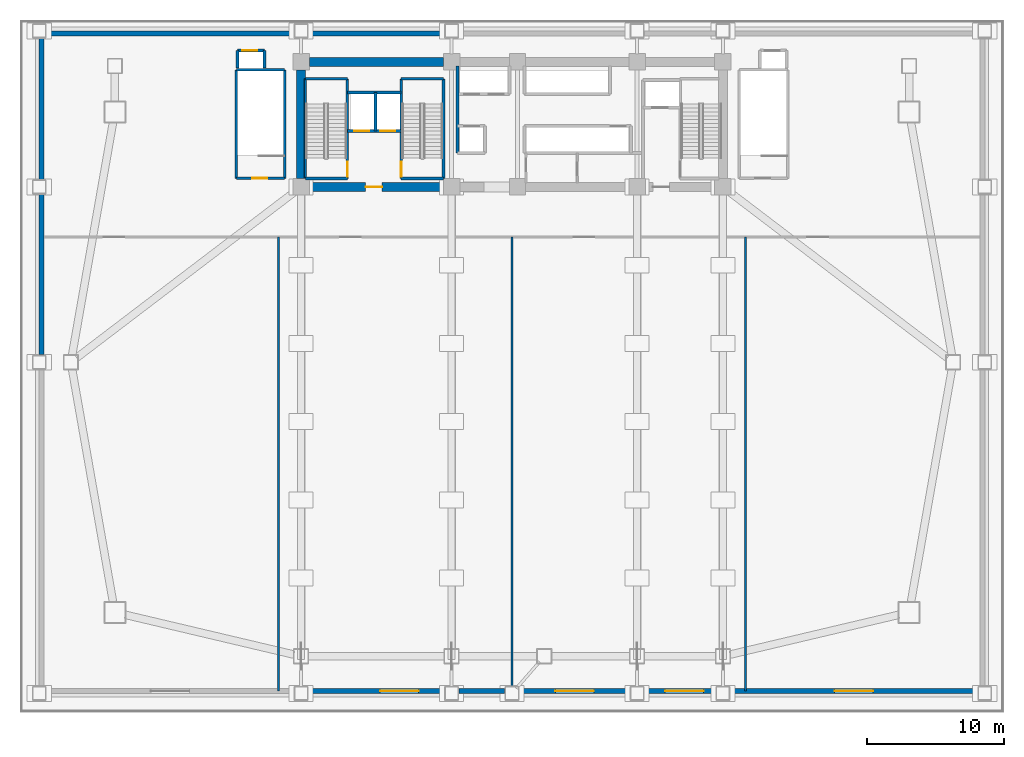
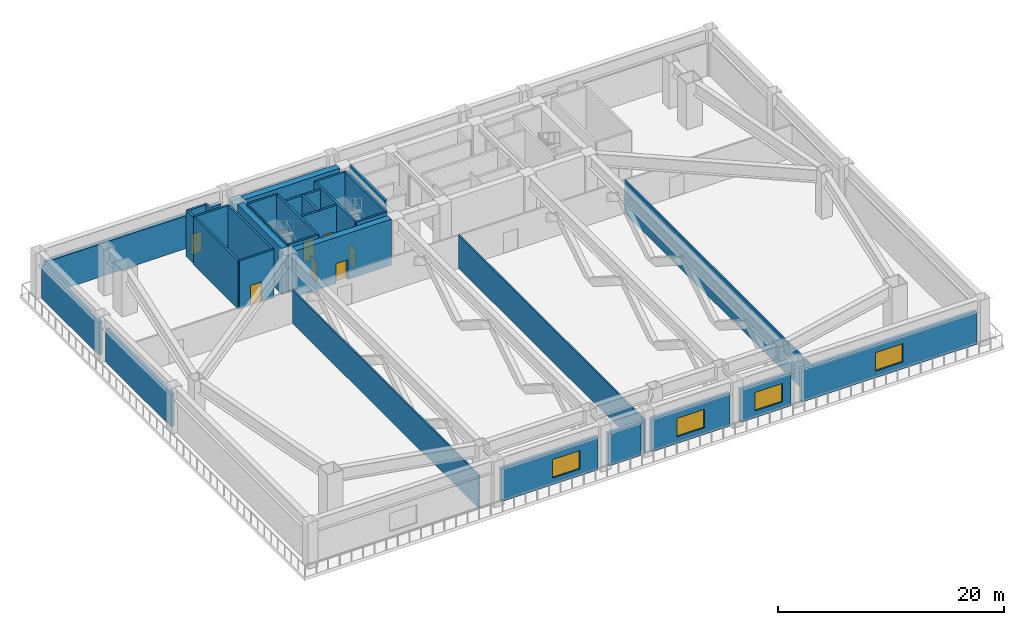
# One storey, part 3 of 8: 34 walls, 7 doors, 4 windows, 11 openings.
"""IFC4 building model written with IfcOpenShell, lengths in metres."""

from ifc_helpers import new_model, si_unit, direction, frame, frame_2d, origin, place, context, subcontext, project, spatial, rectangle, extrude, source, transform, mapped, material, layer, layer_set, type_object, element, fill, save


model = new_model("IFC4")

# Units and contexts
model_context = context("Model", 3, precision=1e-05, world=origin(), true_north=direction((0.0, 1.0)))
body_context = subcontext(model_context, "Body", "Model", "MODEL_VIEW")
ifc_project = project(units=[si_unit("LENGTHUNIT", "METRE"), si_unit("AREAUNIT", "SQUARE_METRE"), si_unit("VOLUMEUNIT", "CUBIC_METRE"), si_unit("PLANEANGLEUNIT", "RADIAN"), si_unit("MASSUNIT", "GRAM", prefix="KILO")], contexts=[model_context])

# Site, building, storey
site_placement = place(None, origin())
site = spatial("IfcSite", under=ifc_project, at=site_placement, CompositionType="ELEMENT")
building_placement = place(site_placement, origin())
building = spatial("IfcBuilding", under=site, at=building_placement, Name="Giltprow Tower", CompositionType="ELEMENT")
storey_placement = place(building_placement, frame((0.0, 0.0, 20.199951171875)))
storey = spatial("IfcBuildingStorey", under=building, at=storey_placement, Name="L05", CompositionType="ELEMENT", Elevation=20.199951171875)

# Wall, opening, window
ifc_material_1 = material(Name="Precast concrete C40", Category="concrete")
ifc_layer_1 = layer(ifc_material_1, 0.360107421875, Name="Precast concrete C40")
ifc_layer_set_1 = layer_set([ifc_layer_1], Name="Precast concrete C40")
wall_type_1 = type_object("IfcWallType", Name="EW-POD-STONE-360", PredefinedType="SOLIDWALL", material=ifc_layer_set_1)
wall_1_placement = place(storey_placement, frame((20.39990234375, 0.780029296875, 0.0), z_axis=(0.0, 0.0, 1.0), x_axis=(1.0, 0.0, 0.0)))
wall_1 = element("IfcWall", 1, at=wall_1_placement, inside=storey, type_object=wall_type_1, Name="L05 South Podium Masonry Wall 2", PredefinedType="SOLIDWALL", context=body_context, shape_type="SweptSolid", body=[
    extrude(rectangle(XDim=9.85009765625, YDim=0.360107421875, at=frame_2d((4.925048828125, 0.0))), origin(), (0.0, 0.0, 1.0), 3.56005859375),
])
opening_1_placement = place(wall_1_placement, frame((5.199951171875, 0.0, 0.719970703125)))
opening_1 = element("IfcOpeningElement", 2, at=opening_1_placement, cuts=wall_1, Name="Opening WN31", PredefinedType="OPENING", context=body_context, shape_type="SweptSolid", body=[
    extrude(rectangle(XDim=2.800048828125, YDim=2.0, at=frame_2d((1.39990234375, 1.0))), frame((0.0, 0.18994140625, 0.0), z_axis=(0.0, -1.0, 0.0), x_axis=(1.0, 0.0, 0.0)), (0.0, 0.0, 1.0), 0.380126953125),
])
ifc_material_2 = material(Name="Insulated glass", Category="glass")
window_type = type_object("IfcWindowType", Name="WN-POD-2800x2000", PartitioningType="SINGLE_PANEL", PredefinedType="WINDOW", material=ifc_material_2)
shared_shape_1 = source(origin(), body_context, "Body", "SweptSolid", [
    extrude(rectangle(XDim=2.800048828125, YDim=2.0, at=frame_2d((1.39990234375, 1.0))), frame((0.0, 0.030029296875, 0.0), z_axis=(0.0, -1.0, 0.0), x_axis=(1.0, 0.0, 0.0)), (0.0, 0.0, 1.0), 0.06005859375),
])
window_1_placement = place(opening_1_placement, origin())
window_1 = element("IfcWindow", 3, at=window_1_placement, inside=storey, type_object=window_type, Name="L05 Podium South Window 2", OverallHeight=2.0, OverallWidth=2.800048828125, PartitioningType="SINGLE_PANEL", PredefinedType="WINDOW", context=body_context, shape_type="MappedRepresentation", body=[
    mapped(shared_shape_1, transform((0.0, 0.0, 0.0), x_axis=(1.0, 0.0, 0.0), y_axis=(0.0, 1.0, 0.0), z_axis=(0.0, 0.0, 1.0), scale=1.0)),
])
fill(opening_1, window_1)

# Wall
wall_2_placement = place(storey_placement, frame((31.35009765625, 0.780029296875, 0.0), z_axis=(0.0, 0.0, 1.0), x_axis=(1.0, 0.0, 0.0)))
element("IfcWall", 4, at=wall_2_placement, inside=storey, type_object=wall_type_1, Name="L05 South Podium Masonry Wall 3", PredefinedType="SOLIDWALL", context=body_context, shape_type="SweptSolid", body=[
    extrude(rectangle(XDim=3.2998046875, YDim=0.360107421875, at=frame_2d((1.64990234375, 0.0))), origin(), (0.0, 0.0, 1.0), 3.56005859375),
])

# Wall, opening, window
wall_3_placement = place(storey_placement, frame((35.75, 0.780029296875, 0.0), z_axis=(0.0, 0.0, 1.0), x_axis=(1.0, 0.0, 0.0)))
wall_3 = element("IfcWall", 5, at=wall_3_placement, inside=storey, type_object=wall_type_1, Name="L05 South Podium Masonry Wall 4", PredefinedType="SOLIDWALL", context=body_context, shape_type="SweptSolid", body=[
    extrude(rectangle(XDim=8.0, YDim=0.360107421875, at=frame_2d((4.0, 0.0))), origin(), (0.0, 0.0, 1.0), 3.56005859375),
])
opening_2_placement = place(wall_3_placement, frame((2.60009765625, 0.0, 0.719970703125)))
opening_2 = element("IfcOpeningElement", 6, at=opening_2_placement, cuts=wall_3, Name="Opening WN31", PredefinedType="OPENING", context=body_context, shape_type="SweptSolid", body=[
    extrude(rectangle(XDim=2.800048828125, YDim=2.0, at=frame_2d((1.39990234375, 1.0))), frame((0.0, 0.18994140625, 0.0), z_axis=(0.0, -1.0, 0.0), x_axis=(1.0, 0.0, 0.0)), (0.0, 0.0, 1.0), 0.380126953125),
])
window_2_placement = place(opening_2_placement, origin())
window_2 = element("IfcWindow", 7, at=window_2_placement, inside=storey, type_object=window_type, Name="L05 Podium South Window 4", OverallHeight=2.0, OverallWidth=2.800048828125, PartitioningType="SINGLE_PANEL", PredefinedType="WINDOW", context=body_context, shape_type="MappedRepresentation", body=[
    mapped(shared_shape_1, transform((0.0, 0.0, 0.0), x_axis=(1.0, 0.0, 0.0), y_axis=(0.0, 1.0, 0.0), z_axis=(0.0, 0.0, 1.0), scale=1.0)),
])
fill(opening_2, window_2)

wall_4_placement = place(storey_placement, frame((44.85009765625, 0.780029296875, 0.0), z_axis=(0.0, 0.0, 1.0), x_axis=(1.0, 0.0, 0.0)))
wall_4 = element("IfcWall", 8, at=wall_4_placement, inside=storey, type_object=wall_type_1, Name="L05 South Podium Masonry Wall 5", PredefinedType="SOLIDWALL", context=body_context, shape_type="SweptSolid", body=[
    extrude(rectangle(XDim=5.14990234375, YDim=0.360107421875, at=frame_2d((2.574951171875, 0.0))), origin(), (0.0, 0.0, 1.0), 3.56005859375),
])
opening_3_placement = place(wall_4_placement, frame((1.5, 0.0, 0.719970703125)))
opening_3 = element("IfcOpeningElement", 9, at=opening_3_placement, cuts=wall_4, Name="Opening WN31", PredefinedType="OPENING", context=body_context, shape_type="SweptSolid", body=[
    extrude(rectangle(XDim=2.800048828125, YDim=2.0, at=frame_2d((1.39990234375, 1.0))), frame((0.0, 0.18994140625, 0.0), z_axis=(0.0, -1.0, 0.0), x_axis=(1.0, 0.0, 0.0)), (0.0, 0.0, 1.0), 0.380126953125),
])
window_3_placement = place(opening_3_placement, origin())
window_3 = element("IfcWindow", 10, at=window_3_placement, inside=storey, type_object=window_type, Name="L05 Podium South Window 5", OverallHeight=2.0, OverallWidth=2.800048828125, PartitioningType="SINGLE_PANEL", PredefinedType="WINDOW", context=body_context, shape_type="MappedRepresentation", body=[
    mapped(shared_shape_1, transform((0.0, 0.0, 0.0), x_axis=(1.0, 0.0, 0.0), y_axis=(0.0, 1.0, 0.0), z_axis=(0.0, 0.0, 1.0), scale=1.0)),
])
fill(opening_3, window_3)

wall_5_placement = place(storey_placement, frame((51.10009765625, 0.780029296875, 0.0), z_axis=(0.0, 0.0, 1.0), x_axis=(1.0, 0.0, 0.0)))
wall_5 = element("IfcWall", 11, at=wall_5_placement, inside=storey, type_object=wall_type_1, Name="L05 South Podium Masonry Wall 6", PredefinedType="SOLIDWALL", context=body_context, shape_type="SweptSolid", body=[
    extrude(rectangle(XDim=17.949951171875, YDim=0.360107421875, at=frame_2d((8.97509765625, 0.0))), origin(), (0.0, 0.0, 1.0), 3.56005859375),
])
opening_4_placement = place(wall_5_placement, frame((7.574951171875, 0.0, 0.719970703125)))
opening_4 = element("IfcOpeningElement", 12, at=opening_4_placement, cuts=wall_5, Name="Opening WN31", PredefinedType="OPENING", context=body_context, shape_type="SweptSolid", body=[
    extrude(rectangle(XDim=2.800048828125, YDim=2.0, at=frame_2d((1.39990234375, 1.0))), frame((0.0, 0.18994140625, 0.0), z_axis=(0.0, -1.0, 0.0), x_axis=(1.0, 0.0, 0.0)), (0.0, 0.0, 1.0), 0.380126953125),
])
window_4_placement = place(opening_4_placement, origin())
window_4 = element("IfcWindow", 13, at=window_4_placement, inside=storey, type_object=window_type, Name="L05 Podium South Window 6", OverallHeight=2.0, OverallWidth=2.800048828125, PartitioningType="SINGLE_PANEL", PredefinedType="WINDOW", context=body_context, shape_type="MappedRepresentation", body=[
    mapped(shared_shape_1, transform((0.0, 0.0, 0.0), x_axis=(1.0, 0.0, 0.0), y_axis=(0.0, 1.0, 0.0), z_axis=(0.0, 0.0, 1.0), scale=1.0)),
])
fill(opening_4, window_4)

# Walls
wall_6_placement = place(storey_placement, frame((1.35009765625, 48.6201171875, 0.0), z_axis=(0.0, 0.0, 1.0), x_axis=(1.0, 0.0, 0.0)))
element("IfcWall", 14, at=wall_6_placement, inside=storey, type_object=wall_type_1, Name="L05 North Podium Masonry Wall 1", PredefinedType="SOLIDWALL", context=body_context, shape_type="SweptSolid", body=[
    extrude(rectangle(XDim=17.949951171875, YDim=0.360107421875, at=frame_2d((8.97509765625, 0.0))), origin(), (0.0, 0.0, 1.0), 3.56005859375),
])
wall_7_placement = place(storey_placement, frame((20.39990234375, 48.6201171875, 0.0), z_axis=(0.0, 0.0, 1.0), x_axis=(1.0, 0.0, 0.0)))
element("IfcWall", 15, at=wall_7_placement, inside=storey, type_object=wall_type_1, Name="L05 North Podium Masonry Wall 2", PredefinedType="SOLIDWALL", context=body_context, shape_type="SweptSolid", body=[
    extrude(rectangle(XDim=9.85009765625, YDim=0.360107421875, at=frame_2d((4.925048828125, 0.0))), origin(), (0.0, 0.0, 1.0), 3.56005859375),
])
wall_8_placement = place(storey_placement, frame((0.97998046875, 25.25, 0.0), z_axis=(0.0, 0.0, 1.0), x_axis=(0.0, 1.0, 0.0)))
element("IfcWall", 16, at=wall_8_placement, inside=storey, type_object=wall_type_1, Name="L05 W Podium Masonry Wall 2", PredefinedType="SOLIDWALL", context=body_context, shape_type="SweptSolid", body=[
    extrude(rectangle(XDim=11.64990234375, YDim=0.360107421875, at=frame_2d((5.824951171875, 0.0))), origin(), (0.0, 0.0, 1.0), 3.56005859375),
])
wall_9_placement = place(storey_placement, frame((0.97998046875, 38.0, 0.0), z_axis=(0.0, 0.0, 1.0), x_axis=(0.0, 1.0, 0.0)))
element("IfcWall", 17, at=wall_9_placement, inside=storey, type_object=wall_type_1, Name="L05 W Podium Masonry Wall 3", PredefinedType="SOLIDWALL", context=body_context, shape_type="SweptSolid", body=[
    extrude(rectangle(XDim=10.25, YDim=0.360107421875, at=frame_2d((5.125, 0.0))), origin(), (0.0, 0.0, 1.0), 3.56005859375),
])
ifc_material_3 = material(Name="Gypsum stud partition", Category="gypsum")
ifc_layer_2 = layer(ifc_material_3, 0.159912109375, Name="Gypsum stud partition")
ifc_layer_set_2 = layer_set([ifc_layer_2], Name="Gypsum stud partition")
wall_type_2 = type_object("IfcWallType", Name="IW-DEMISE-160", PredefinedType="PARTITIONING", material=ifc_layer_set_2)
for number, where, z_axis, x_axis, name in (
    (18, (18.199951171875, 0.780029296875, 0.0), (0.0, 0.0, 1.0), (0.0, 1.0, 0.0), "L05 Plant Bay Wall 1"),
    (19, (35.199951171875, 0.780029296875, 0.0), (0.0, 0.0, 1.0), (0.0, 1.0, 0.0), "L05 Plant Bay Wall 2"),
    (20, (52.199951171875, 0.780029296875, 0.0), (0.0, 0.0, 1.0), (0.0, 1.0, 0.0), "L05 Plant Bay Wall 3"),
):
    element("IfcWall", number, at=place(storey_placement, frame(where, z_axis=z_axis, x_axis=x_axis)), inside=storey, type_object=wall_type_2, Name=name, PredefinedType="PARTITIONING", context=body_context, shape_type="SweptSolid", body=[
        extrude(rectangle(XDim=33.02001953125, YDim=0.159912109375, at=frame_2d((16.510009765625, 0.0))), origin(), (0.0, 0.0, 1.0), 3.56494140625),
    ])

# Wall, openings, doors
ifc_material_4 = material(Name="Concrete C40", Category="concrete")
ifc_layer_3 = layer(ifc_material_4, 0.219970703125, Name="Concrete C40")
ifc_layer_set_3 = layer_set([ifc_layer_3], Name="Concrete C40")
wall_type_3 = type_object("IfcWallType", Name="IW-SHAFT-220", PredefinedType="SOLIDWALL", material=ifc_layer_set_3)
wall_10_placement = place(storey_placement, frame((23.219970703125, 41.52001953125, 0.0), z_axis=(0.0, 0.0, 1.0), x_axis=(1.0, 0.0, 0.0)))
wall_10 = element("IfcWall", 21, at=wall_10_placement, inside=storey, type_object=wall_type_3, Name="L05 FFL1 and Service Lift Front Wall", PredefinedType="SOLIDWALL", context=body_context, shape_type="SweptSolid", body=[
    extrude(rectangle(XDim=3.919921875, YDim=0.219970703125, at=frame_2d((1.9599609375, 0.0))), origin(), (0.0, 0.0, 1.0), 4.97998046875),
])
opening_5_placement = place(wall_10_placement, frame((0.5, 0.0, 0.0)))
opening_5 = element("IfcOpeningElement", 22, at=opening_5_placement, cuts=wall_10, Name="Opening LD-11", PredefinedType="OPENING", context=body_context, shape_type="SweptSolid", body=[
    extrude(rectangle(XDim=1.10009765625, YDim=2.199951171875, at=frame_2d((0.550048828125, 1.10009765625))), frame((0.0, 0.119873046875, 0.0), z_axis=(0.0, -1.0, 0.0), x_axis=(1.0, 0.0, 0.0)), (0.0, 0.0, 1.0), 0.239990234375),
])
opening_6_placement = place(wall_10_placement, frame((2.39990234375, 0.0, 0.0)))
opening_6 = element("IfcOpeningElement", 23, at=opening_6_placement, cuts=wall_10, Name="Opening LD-11", PredefinedType="OPENING", context=body_context, shape_type="SweptSolid", body=[
    extrude(rectangle(XDim=1.10009765625, YDim=2.199951171875, at=frame_2d((0.550048828125, 1.10009765625))), frame((0.0, 0.119873046875, 0.0), z_axis=(0.0, -1.0, 0.0), x_axis=(1.0, 0.0, 0.0)), (0.0, 0.0, 1.0), 0.239990234375),
])
ifc_material_5 = material(Name="Stainless steel", Category="steel")
door_type_1 = type_object("IfcDoorType", Name="DR-LIFT-LD1100", OperationType="SLIDING_TO_LEFT", PredefinedType="DOOR", material=ifc_material_5)
shared_shape_2 = source(origin(), body_context, "Body", "SweptSolid", [
    extrude(rectangle(XDim=1.10009765625, YDim=2.199951171875, at=frame_2d((0.550048828125, 1.10009765625))), frame((0.0, 0.02490234375, 0.0), z_axis=(0.0, -1.0, 0.0), x_axis=(1.0, 0.0, 0.0)), (0.0, 0.0, 1.0), 0.050048828125),
])
door_1_placement = place(opening_5_placement, origin())
door_1 = element("IfcDoor", 24, at=door_1_placement, inside=storey, type_object=door_type_1, Name="L05 FFL1 Landing Door", OperationType="SLIDING_TO_LEFT", OverallHeight=2.199951171875, OverallWidth=1.10009765625, PredefinedType="DOOR", context=body_context, shape_type="MappedRepresentation", body=[
    mapped(shared_shape_2, transform((0.0, 0.0, 0.0), x_axis=(1.0, 0.0, 0.0), y_axis=(0.0, 1.0, 0.0), z_axis=(0.0, 0.0, 1.0), scale=1.0)),
])
fill(opening_5, door_1)
door_2_placement = place(opening_6_placement, origin())
door_2 = element("IfcDoor", 25, at=door_2_placement, inside=storey, type_object=door_type_1, Name="L05 SVL1 Landing Door", OperationType="SLIDING_TO_LEFT", OverallHeight=2.199951171875, OverallWidth=1.10009765625, PredefinedType="DOOR", context=body_context, shape_type="MappedRepresentation", body=[
    mapped(shared_shape_2, transform((0.0, 0.0, 0.0), x_axis=(1.0, 0.0, 0.0), y_axis=(0.0, 1.0, 0.0), z_axis=(0.0, 0.0, 1.0), scale=1.0)),
])
fill(opening_6, door_2)

# Walls
wall_11_placement = place(storey_placement, frame((25.260009765625, 41.52001953125, 0.0), z_axis=(0.0, 0.0, 1.0), x_axis=(0.0, 1.0, 0.0)))
element("IfcWall", 26, at=wall_11_placement, inside=storey, type_object=wall_type_3, Name="L05 FFL1-SVL1 Shaft Divider", PredefinedType="SOLIDWALL", context=body_context, shape_type="SweptSolid", body=[
    extrude(rectangle(XDim=2.800048828125, YDim=0.219970703125, at=frame_2d((1.39990234375, 0.0))), origin(), (0.0, 0.0, 1.0), 4.97998046875),
])
wall_12_placement = place(storey_placement, frame((23.219970703125, 44.320068359375, 0.0), z_axis=(0.0, 0.0, 1.0), x_axis=(1.0, 0.0, 0.0)))
element("IfcWall", 27, at=wall_12_placement, inside=storey, type_object=wall_type_3, Name="L05 FFL1-SVL1 Back Shaft Wall", PredefinedType="SOLIDWALL", context=body_context, shape_type="SweptSolid", body=[
    extrude(rectangle(XDim=3.919921875, YDim=0.219970703125, at=frame_2d((1.9599609375, 0.0))), origin(), (0.0, 0.0, 1.0), 4.97998046875),
])

# Wall, opening, door
wall_13_placement = place(storey_placement, frame((15.22998046875, 47.3798828125, 0.0), z_axis=(0.0, 0.0, 1.0), x_axis=(1.0, 0.0, 0.0)))
wall_13 = element("IfcWall", 28, at=wall_13_placement, inside=storey, type_object=wall_type_3, Name="L05 PL-P1 Front Wall", PredefinedType="SOLIDWALL", context=body_context, shape_type="SweptSolid", body=[
    extrude(rectangle(XDim=1.9599609375, YDim=0.219970703125, at=frame_2d((0.97998046875, 0.0))), origin(), (0.0, 0.0, 1.0), 4.97998046875),
])
opening_7_placement = place(wall_13_placement, frame((0.35009765625, 0.0, 0.0)))
opening_7 = element("IfcOpeningElement", 29, at=opening_7_placement, cuts=wall_13, Name="Opening LD-11", PredefinedType="OPENING", context=body_context, shape_type="SweptSolid", body=[
    extrude(rectangle(XDim=1.10009765625, YDim=2.199951171875, at=frame_2d((0.550048828125, 1.10009765625))), frame((0.0, 0.119873046875, 0.0), z_axis=(0.0, -1.0, 0.0), x_axis=(1.0, 0.0, 0.0)), (0.0, 0.0, 1.0), 0.239990234375),
])
door_3_placement = place(opening_7_placement, origin())
door_3 = element("IfcDoor", 30, at=door_3_placement, inside=storey, type_object=door_type_1, Name="L05 PL-P1 Landing Door", OperationType="SLIDING_TO_LEFT", OverallHeight=2.199951171875, OverallWidth=1.10009765625, PredefinedType="DOOR", context=body_context, shape_type="MappedRepresentation", body=[
    mapped(shared_shape_2, transform((0.0, 0.0, 0.0), x_axis=(1.0, 0.0, 0.0), y_axis=(0.0, 1.0, 0.0), z_axis=(0.0, 0.0, 1.0), scale=1.0)),
])
fill(opening_7, door_3)

# Walls
for number, where, z_axis, x_axis, name in (
    (31, (15.22998046875, 46.090087890625, 0.0), (0.0, 0.0, 1.0), (0.0, 1.0, 0.0), "L05 PL-P1 West Shaft Wall"),
    (32, (17.18994140625, 46.090087890625, 0.0), (0.0, 0.0, 1.0), (0.0, 1.0, 0.0), "L05 PL-P1 East Shaft Wall"),
):
    element("IfcWall", number, at=place(storey_placement, frame(where, z_axis=z_axis, x_axis=x_axis)), inside=storey, type_object=wall_type_3, Name=name, PredefinedType="SOLIDWALL", context=body_context, shape_type="SweptSolid", body=[
        extrude(rectangle(XDim=1.289794921875, YDim=0.219970703125, at=frame_2d((0.64501953125, 0.0))), origin(), (0.0, 0.0, 1.0), 4.97998046875),
    ])
wall_14_placement = place(storey_placement, frame((31.25, 39.919921875, 0.0), z_axis=(0.0, 0.0, 1.0), x_axis=(0.0, 1.0, 0.0)))
element("IfcWall", 33, at=wall_14_placement, inside=storey, type_object=wall_type_3, Name="L05 Lift Bank West Closure", PredefinedType="SOLIDWALL", context=body_context, shape_type="SweptSolid", body=[
    extrude(rectangle(XDim=6.3251953125, YDim=0.219970703125, at=frame_2d((3.16259765625, 0.0))), origin(), (0.0, 0.0, 1.0), 4.97998046875),
])
ifc_material_6 = material(Name="Concrete C45", Category="concrete")
ifc_layer_4 = layer(ifc_material_6, 0.139892578125, Name="Concrete C45")
ifc_layer_set_4 = layer_set([ifc_layer_4], Name="Concrete C45")
wall_type_4 = type_object("IfcWallType", Name="IW-STAIR-140", PredefinedType="SOLIDWALL", material=ifc_layer_set_4)
wall_15_placement = place(storey_placement, frame((20.169921875, 38.070068359375, 0.0), z_axis=(0.0, 0.0, 1.0), x_axis=(0.0, 1.0, 0.0)))
element("IfcWall", 34, at=wall_15_placement, inside=storey, type_object=wall_type_4, Name="L05 Stair ST-1 West Bearing Wall", PredefinedType="SOLIDWALL", context=body_context, shape_type="SweptSolid", body=[
    extrude(rectangle(XDim=7.25, YDim=0.139892578125, at=frame_2d((3.625, 0.0))), origin(), (0.0, 0.0, 1.0), 5.199951171875),
])

# Wall, opening, door
ifc_layer_5 = layer(ifc_material_4, 0.199951171875, Name="Concrete C40")
ifc_layer_set_5 = layer_set([ifc_layer_5], Name="Concrete C40")
wall_type_5 = type_object("IfcWallType", Name="IW-STAIR-200", PredefinedType="SOLIDWALL", material=ifc_layer_set_5)
wall_16_placement = place(storey_placement, frame((23.219970703125, 38.070068359375, 0.0), z_axis=(0.0, 0.0, 1.0), x_axis=(0.0, 1.0, 0.0)))
wall_16 = element("IfcWall", 35, at=wall_16_placement, inside=storey, type_object=wall_type_5, Name="L05 Stair ST-1 East Bearing Wall", PredefinedType="SOLIDWALL", context=body_context, shape_type="SweptSolid", body=[
    extrude(rectangle(XDim=7.25, YDim=0.199951171875, at=frame_2d((3.625, 0.0))), origin(), (0.0, 0.0, 1.0), 5.199951171875),
])
opening_8_placement = place(wall_16_placement, frame((0.110107421875, 0.0, 0.0)))
opening_8 = element("IfcOpeningElement", 36, at=opening_8_placement, cuts=wall_16, Name="Opening ID33", PredefinedType="OPENING", context=body_context, shape_type="SweptSolid", body=[
    extrude(rectangle(XDim=1.10009765625, YDim=2.14990234375, at=frame_2d((0.550048828125, 1.074951171875))), frame((0.0, 0.10986328125, 0.0), z_axis=(0.0, -1.0, 0.0), x_axis=(1.0, 0.0, 0.0)), (0.0, 0.0, 1.0), 0.219970703125),
])
ifc_material_7 = material(Name="Steel fire leaf", Category="steel")
door_type_2 = type_object("IfcDoorType", Name="DR-STAIR-1100", OperationType="SINGLE_SWING_LEFT", PredefinedType="DOOR", material=ifc_material_7)
shared_shape_3 = source(origin(), body_context, "Body", "SweptSolid", [
    extrude(rectangle(XDim=1.10009765625, YDim=2.14990234375, at=frame_2d((0.550048828125, 1.074951171875))), frame((0.0, 0.02490234375, 0.0), z_axis=(0.0, -1.0, 0.0), x_axis=(1.0, 0.0, 0.0)), (0.0, 0.0, 1.0), 0.050048828125),
])
door_4_placement = place(opening_8_placement, origin())
door_4 = element("IfcDoor", 37, at=door_4_placement, inside=storey, type_object=door_type_2, Name="L05 Stair ST-1 Fire Door", OperationType="SINGLE_SWING_LEFT", OverallHeight=2.14990234375, OverallWidth=1.10009765625, PredefinedType="DOOR", context=body_context, shape_type="MappedRepresentation", body=[
    mapped(shared_shape_3, transform((0.0, 0.0, 0.0), x_axis=(1.0, 0.0, 0.0), y_axis=(0.0, 1.0, 0.0), z_axis=(0.0, 0.0, 1.0), scale=1.0)),
])
fill(opening_8, door_4)

# Walls
for number, where, z_axis, x_axis, name in (
    (38, (20.169921875, 45.320068359375, 0.0), (0.0, 0.0, 1.0), (1.0, 0.0, 0.0), "L05 Stair ST-1 North Bearing Wall"),
    (39, (20.169921875, 38.070068359375, 0.0), (0.0, 0.0, 1.0), (1.0, 0.0, 0.0), "L05 Stair ST-1 South Bearing Wall"),
):
    element("IfcWall", number, at=place(storey_placement, frame(where, z_axis=z_axis, x_axis=x_axis)), inside=storey, type_object=wall_type_5, Name=name, PredefinedType="SOLIDWALL", context=body_context, shape_type="SweptSolid", body=[
        extrude(rectangle(XDim=3.050048828125, YDim=0.199951171875, at=frame_2d((1.52490234375, 0.0))), origin(), (0.0, 0.0, 1.0), 5.199951171875),
    ])

# Wall, opening, door
wall_17_placement = place(storey_placement, frame((27.139892578125, 38.070068359375, 0.0), z_axis=(0.0, 0.0, 1.0), x_axis=(0.0, 1.0, 0.0)))
wall_17 = element("IfcWall", 40, at=wall_17_placement, inside=storey, type_object=wall_type_5, Name="L05 Stair ST-2 West Bearing Wall", PredefinedType="SOLIDWALL", context=body_context, shape_type="SweptSolid", body=[
    extrude(rectangle(XDim=7.25, YDim=0.199951171875, at=frame_2d((3.625, 0.0))), origin(), (0.0, 0.0, 1.0), 5.199951171875),
])
opening_9_placement = place(wall_17_placement, frame((0.110107421875, 0.0, 0.0)))
opening_9 = element("IfcOpeningElement", 41, at=opening_9_placement, cuts=wall_17, Name="Opening ID33", PredefinedType="OPENING", context=body_context, shape_type="SweptSolid", body=[
    extrude(rectangle(XDim=1.10009765625, YDim=2.14990234375, at=frame_2d((0.550048828125, 1.074951171875))), frame((0.0, 0.10986328125, 0.0), z_axis=(0.0, -1.0, 0.0), x_axis=(1.0, 0.0, 0.0)), (0.0, 0.0, 1.0), 0.219970703125),
])
door_5_placement = place(opening_9_placement, origin())
door_5 = element("IfcDoor", 42, at=door_5_placement, inside=storey, type_object=door_type_2, Name="L05 Stair ST-2 Fire Door", OperationType="SINGLE_SWING_RIGHT", OverallHeight=2.14990234375, OverallWidth=1.10009765625, PredefinedType="DOOR", context=body_context, shape_type="MappedRepresentation", body=[
    mapped(shared_shape_3, transform((0.0, 0.0, 0.0), x_axis=(1.0, 0.0, 0.0), y_axis=(0.0, 1.0, 0.0), z_axis=(0.0, 0.0, 1.0), scale=1.0)),
])
fill(opening_9, door_5)

# Walls
wall_18_placement = place(storey_placement, frame((30.219970703125, 38.070068359375, 0.0), z_axis=(0.0, 0.0, 1.0), x_axis=(0.0, 1.0, 0.0)))
element("IfcWall", 43, at=wall_18_placement, inside=storey, type_object=wall_type_5, Name="L05 Stair ST-2 East Bearing Wall", PredefinedType="SOLIDWALL", context=body_context, shape_type="SweptSolid", body=[
    extrude(rectangle(XDim=7.25, YDim=0.199951171875, at=frame_2d((3.625, 0.0))), origin(), (0.0, 0.0, 1.0), 5.199951171875),
])
for number, where, z_axis, x_axis, name in (
    (44, (27.139892578125, 45.320068359375, 0.0), (0.0, 0.0, 1.0), (1.0, 0.0, 0.0), "L05 Stair ST-2 North Bearing Wall"),
    (45, (27.139892578125, 38.070068359375, 0.0), (0.0, 0.0, 1.0), (1.0, 0.0, 0.0), "L05 Stair ST-2 South Bearing Wall"),
):
    element("IfcWall", number, at=place(storey_placement, frame(where, z_axis=z_axis, x_axis=x_axis)), inside=storey, type_object=wall_type_5, Name=name, PredefinedType="SOLIDWALL", context=body_context, shape_type="SweptSolid", body=[
        extrude(rectangle(XDim=3.080078125, YDim=0.199951171875, at=frame_2d((1.5400390625, 0.0))), origin(), (0.0, 0.0, 1.0), 5.199951171875),
    ])
for number, where, z_axis, x_axis, name in (
    (46, (15.139892578125, 38.080078125, 0.0), (0.0, 0.0, 1.0), (0.0, 1.0, 0.0), "L05 Podium Stair ST-P1 West Bearing Wall"),
    (47, (18.659912109375, 38.080078125, 0.0), (0.0, 0.0, 1.0), (0.0, 1.0, 0.0), "L05 Podium Stair ST-P1 East Bearing Wall"),
):
    element("IfcWall", number, at=place(storey_placement, frame(where, z_axis=z_axis, x_axis=x_axis)), inside=storey, type_object=wall_type_5, Name=name, PredefinedType="SOLIDWALL", context=body_context, shape_type="SweptSolid", body=[
        extrude(rectangle(XDim=7.89990234375, YDim=0.199951171875, at=frame_2d((3.949951171875, 0.0))), origin(), (0.0, 0.0, 1.0), 5.199951171875),
    ])
wall_19_placement = place(storey_placement, frame((15.139892578125, 45.97998046875, 0.0), z_axis=(0.0, 0.0, 1.0), x_axis=(1.0, 0.0, 0.0)))
element("IfcWall", 48, at=wall_19_placement, inside=storey, type_object=wall_type_5, Name="L05 Podium Stair ST-P1 North Bearing Wall", PredefinedType="SOLIDWALL", context=body_context, shape_type="SweptSolid", body=[
    extrude(rectangle(XDim=3.52001953125, YDim=0.199951171875, at=frame_2d((1.760009765625, 0.0))), origin(), (0.0, 0.0, 1.0), 5.199951171875),
])

# Wall, opening, door
wall_20_placement = place(storey_placement, frame((15.139892578125, 38.080078125, 0.0), z_axis=(0.0, 0.0, 1.0), x_axis=(1.0, 0.0, 0.0)))
wall_20 = element("IfcWall", 49, at=wall_20_placement, inside=storey, type_object=wall_type_5, Name="L05 Podium Stair ST-P1 South Bearing Wall", PredefinedType="SOLIDWALL", context=body_context, shape_type="SweptSolid", body=[
    extrude(rectangle(XDim=3.52001953125, YDim=0.199951171875, at=frame_2d((1.760009765625, 0.0))), origin(), (0.0, 0.0, 1.0), 5.199951171875),
])
opening_10_placement = place(wall_20_placement, frame((1.14990234375, 0.0, 0.0)))
opening_10 = element("IfcOpeningElement", 50, at=opening_10_placement, cuts=wall_20, Name="Opening ID33", PredefinedType="OPENING", context=body_context, shape_type="SweptSolid", body=[
    extrude(rectangle(XDim=1.10009765625, YDim=2.14990234375, at=frame_2d((0.550048828125, 1.074951171875))), frame((0.0, 0.10986328125, 0.0), z_axis=(0.0, -1.0, 0.0), x_axis=(1.0, 0.0, 0.0)), (0.0, 0.0, 1.0), 0.219970703125),
])
door_6_placement = place(opening_10_placement, origin())
door_6 = element("IfcDoor", 51, at=door_6_placement, inside=storey, type_object=door_type_2, Name="L05 Podium Stair ST-P1 Door", OperationType="SINGLE_SWING_RIGHT", OverallHeight=2.14990234375, OverallWidth=1.10009765625, PredefinedType="DOOR", context=body_context, shape_type="MappedRepresentation", body=[
    mapped(shared_shape_3, transform((0.0, 0.0, 0.0), x_axis=(1.0, 0.0, 0.0), y_axis=(0.0, 1.0, 0.0), z_axis=(0.0, 0.0, 1.0), scale=1.0)),
])
fill(opening_10, door_6)

# Wall
ifc_material_8 = material(Name="Concrete C60", Category="concrete")
ifc_layer_6 = layer(ifc_material_8, 0.64990234375, Name="Concrete C60")
ifc_layer_set_6 = layer_set([ifc_layer_6], Name="Concrete C60")
wall_type_6 = type_object("IfcWallType", Name="SW-INT-650-C60", PredefinedType="SHEAR", material=ifc_layer_set_6)
wall_21_placement = place(storey_placement, frame((20.449951171875, 46.550048828125, 0.0), z_axis=(0.0, 0.0, 1.0), x_axis=(1.0, 0.0, 0.0)))
element("IfcWall", 52, at=wall_21_placement, inside=storey, type_object=wall_type_6, Name="L05 North Rear Core Shear Wall 1", PredefinedType="SHEAR", context=body_context, shape_type="SweptSolid", body=[
    extrude(rectangle(XDim=9.75, YDim=0.64990234375, at=frame_2d((4.875, 0.0))), origin(), (0.0, 0.0, 1.0), 4.97998046875),
])

# Wall, opening, door
wall_22_placement = place(storey_placement, frame((20.449951171875, 37.449951171875, 0.0), z_axis=(0.0, 0.0, 1.0), x_axis=(1.0, 0.0, 0.0)))
wall_22 = element("IfcWall", 53, at=wall_22_placement, inside=storey, type_object=wall_type_6, Name="L05 South Rear Core Shear Wall West", PredefinedType="SHEAR", context=body_context, shape_type="SweptSolid", body=[
    extrude(rectangle(XDim=9.75, YDim=0.64990234375, at=frame_2d((4.875, 0.0))), origin(), (0.0, 0.0, 1.0), 4.97998046875),
])
opening_11_placement = place(wall_22_placement, frame((4.10009765625, 0.0, 0.0)))
opening_11 = element("IfcOpeningElement", 54, at=opening_11_placement, cuts=wall_22, Name="Opening ID19", PredefinedType="OPENING", context=body_context, shape_type="SweptSolid", body=[
    extrude(rectangle(XDim=1.199951171875, YDim=2.14990234375, at=frame_2d((0.60009765625, 1.074951171875))), frame((0.0, 0.3349609375, 0.0), z_axis=(0.0, -1.0, 0.0), x_axis=(1.0, 0.0, 0.0)), (0.0, 0.0, 1.0), 0.669921875),
])
door_type_3 = type_object("IfcDoorType", Name="DR-FFLOBBY-1200", OperationType="SINGLE_SWING_RIGHT", PredefinedType="DOOR", material=ifc_material_7)
shared_shape_4 = source(origin(), body_context, "Body", "SweptSolid", [
    extrude(rectangle(XDim=1.199951171875, YDim=2.14990234375, at=frame_2d((0.60009765625, 1.074951171875))), frame((0.0, 0.02490234375, 0.0), z_axis=(0.0, -1.0, 0.0), x_axis=(1.0, 0.0, 0.0)), (0.0, 0.0, 1.0), 0.050048828125),
])
door_7_placement = place(opening_11_placement, origin())
door_7 = element("IfcDoor", 55, at=door_7_placement, inside=storey, type_object=door_type_3, Name="L05 West Firefighting Lobby Entry Door", OperationType="SINGLE_SWING_RIGHT", OverallHeight=2.14990234375, OverallWidth=1.199951171875, PredefinedType="DOOR", context=body_context, shape_type="MappedRepresentation", body=[
    mapped(shared_shape_4, transform((0.0, 0.0, 0.0), x_axis=(1.0, 0.0, 0.0), y_axis=(0.0, 1.0, 0.0), z_axis=(0.0, 0.0, 1.0), scale=1.0)),
])
fill(opening_11, door_7)

# Wall
wall_23_placement = place(storey_placement, frame((19.85009765625, 38.050048828125, 0.0), z_axis=(0.0, 0.0, 1.0), x_axis=(0.0, 1.0, 0.0)))
element("IfcWall", 56, at=wall_23_placement, inside=storey, type_object=wall_type_6, Name="L05 W Rear Core Shear Wall", PredefinedType="SHEAR", context=body_context, shape_type="SweptSolid", body=[
    extrude(rectangle(XDim=7.89990234375, YDim=0.64990234375, at=frame_2d((3.949951171875, 0.0))), origin(), (0.0, 0.0, 1.0), 4.97998046875),
])

save(model, "model.ifc")
